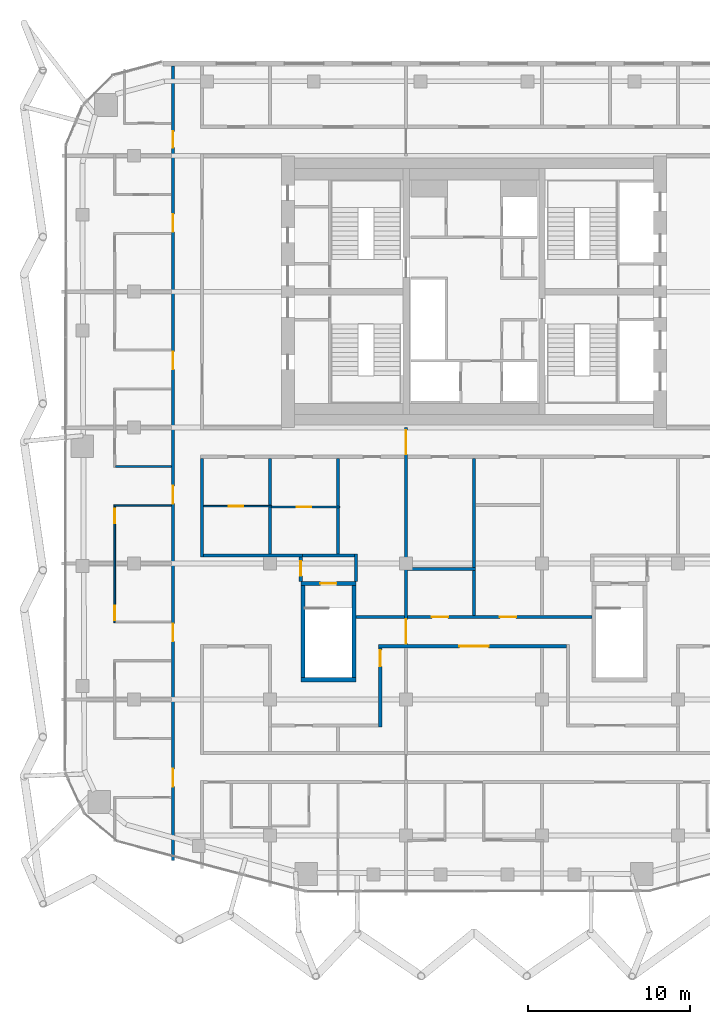
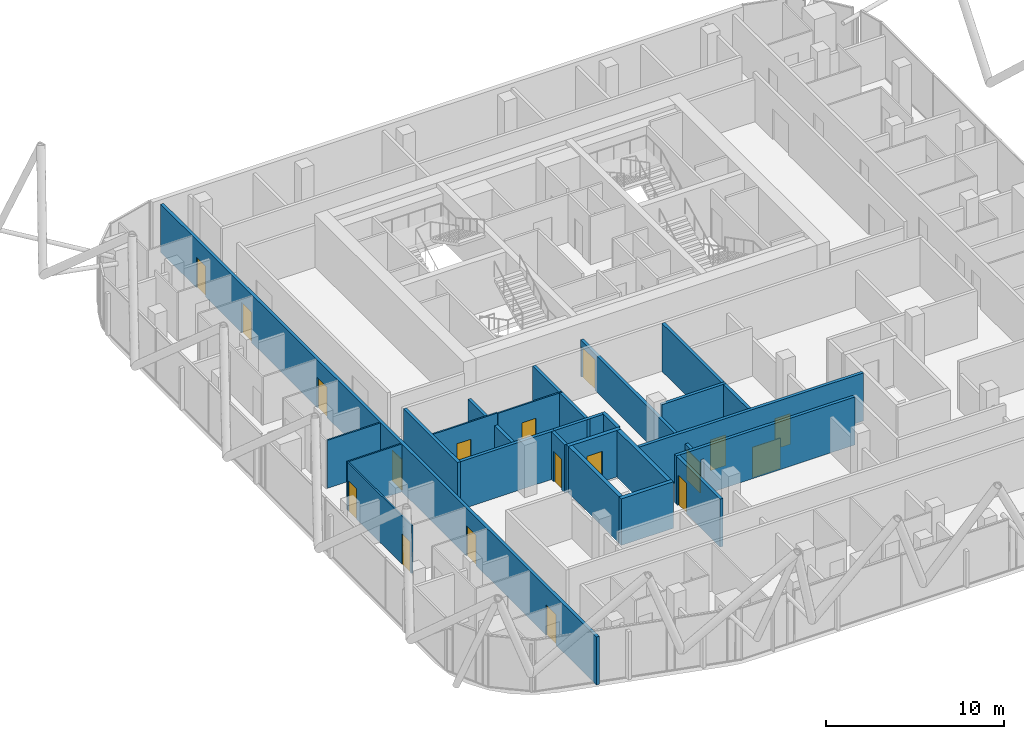
# One storey, part 26 of 33: 23 walls, 18 doors, 18 openings.
"""IFC4 building model written with IfcOpenShell, lengths in metres."""

import ifcopenshell
import ifcopenshell.guid

model = None  # the IFC model being written
_history = None  # IfcOwnerHistory: only IFC2X3 demands one
_inside = {}  # id of a spatial element -> (the spatial element, [elements in it])
_under = {}  # id of a project, library or spatial element -> (it, [spatial elements below it])
_declared = {}  # id of a project -> (the project, [libraries it declares])
_typed = {}  # id of a type object -> (the type object, [elements of that type])
_made_of = {}  # id of a material, layer set ... -> (it, [elements and type objects made of it])


def new_model(schema):
    """Start an empty IFC model of exactly this schema.

    Asked for "IFC4X3", IfcOpenShell would pick the latest addendum, in which some entities
    have other attributes; the version numbers below select the first issue.
    IFC2X3 requires an IfcOwnerHistory on every rooted entity: one is made here for all.
    """
    global model, _history
    if schema == "IFC4X3":
        model = ifcopenshell.file(schema_version=(4, 3, 0, 0))
    else:
        model = ifcopenshell.file(schema=schema)
    _inside.clear()
    _under.clear()
    _declared.clear()
    _typed.clear()
    _made_of.clear()
    _history = None
    if model.schema == "IFC2X3":
        org = make("IfcOrganization", Name="unknown")
        user = make(
            "IfcPersonAndOrganization",
            ThePerson=make("IfcPerson", FamilyName="unknown"),
            TheOrganization=org,
        )
        app = make(
            "IfcApplication",
            ApplicationDeveloper=org,
            Version="unknown",
            ApplicationFullName="unknown",
            ApplicationIdentifier="unknown",
        )
        _history = make(
            "IfcOwnerHistory",
            OwningUser=user,
            OwningApplication=app,
            ChangeAction="ADDED",
            CreationDate=0,
        )
    return model


def make(cls, **values):
    """One entity of the class cls with the attributes given. An attribute that is None is left unset."""
    return model.create_entity(
        cls, **{name: value for name, value in values.items() if value is not None}
    )


def rooted(cls, **values):
    """An entity with a GlobalId (a new one), such as an element, a storey or a relation."""
    return make(cls, GlobalId=ifcopenshell.guid.new(), OwnerHistory=_history, **values)


def si_unit(unit_type, name, prefix=None):
    """IfcSIUnit, for example si_unit("LENGTHUNIT", "METRE", prefix="MILLI")."""
    return make("IfcSIUnit", UnitType=unit_type, Prefix=prefix, Name=name)


def assignment(units):
    """IfcUnitAssignment: the units of a project."""
    return None if units is None else make("IfcUnitAssignment", Units=units)


def point(xyz):
    """IfcCartesianPoint."""
    return None if xyz is None else make("IfcCartesianPoint", Coordinates=xyz)


def direction(xyz):
    """IfcDirection."""
    return None if xyz is None else make("IfcDirection", DirectionRatios=xyz)


def frame(location, z_axis=None, x_axis=None):
    """IfcAxis2Placement3D, a coordinate frame: its origin and axes. An axis left out is left unset."""
    return make(
        "IfcAxis2Placement3D",
        Location=point(location),
        Axis=direction(z_axis),
        RefDirection=direction(x_axis),
    )


def frame_2d(location, x_axis=None):
    """IfcAxis2Placement2D, a coordinate frame in the plane: its origin and x axis."""
    return make(
        "IfcAxis2Placement2D", Location=point(location), RefDirection=direction(x_axis)
    )


def origin():
    """The frame at (0, 0, 0) with its axes left unset."""
    return frame((0.0, 0.0, 0.0))


def place(relative_to, where):
    """IfcLocalPlacement: puts the frame where relative to a parent placement (None: the world)."""
    return make(
        "IfcLocalPlacement", PlacementRelTo=relative_to, RelativePlacement=where
    )


def context(
    kind, dimensions, precision=None, world=None, true_north=None, identifier=None
):
    """IfcGeometricRepresentationContext, for example the 3D "Model" context."""
    return make(
        "IfcGeometricRepresentationContext",
        ContextIdentifier=identifier,
        ContextType=kind,
        CoordinateSpaceDimension=dimensions,
        Precision=precision,
        WorldCoordinateSystem=world,
        TrueNorth=true_north,
    )


def subcontext(parent, identifier, kind, view, scale=None):
    """IfcGeometricRepresentationSubContext, for example "Body" below "Model"."""
    return make(
        "IfcGeometricRepresentationSubContext",
        ContextIdentifier=identifier,
        ContextType=kind,
        ParentContext=parent,
        TargetScale=scale,
        TargetView=view,
    )


def project(units=None, contexts=None):
    """IfcProject with its units and contexts."""
    return rooted(
        "IfcProject",
        Name="project",
        RepresentationContexts=contexts,
        UnitsInContext=assignment(units),
    )


def spatial(cls, under=None, at=None, **own):
    """A site, building, storey or space (cls), placed at a placement, below another one or the project."""
    s = rooted(cls, ObjectPlacement=at, **own)
    if under is not None:
        _under.setdefault(under.id(), (under, []))[1].append(s)
    return s


def profile(cls, at=None, kind="AREA", **sizes):
    """A parametric profile (cls). Its sizes go by their IFC names, for example OverallWidth=200.0."""
    return make(cls, ProfileType=kind, Position=at, **sizes)


def rectangle(**sizes):
    """IfcRectangleProfileDef."""
    return profile("IfcRectangleProfileDef", **sizes)


def extrude(swept, where, along, depth):
    """IfcExtrudedAreaSolid: the profile swept, set in the frame where, extruded along a direction by depth."""
    return make(
        "IfcExtrudedAreaSolid",
        SweptArea=swept,
        Position=where,
        ExtrudedDirection=direction(along),
        Depth=depth,
    )


def shape(context_of_items, identifier, shape_type, items):
    """IfcShapeRepresentation: the items that make up one representation, for example the "Body"."""
    return make(
        "IfcShapeRepresentation",
        ContextOfItems=context_of_items,
        RepresentationIdentifier=identifier,
        RepresentationType=shape_type,
        Items=items,
    )


def material(Name=None, Category=None):
    """IfcMaterial."""
    return make("IfcMaterial", Name=Name, Category=Category)


def layer(
    of_material, thickness, ventilated=None, Name=None, Category=None, Priority=None
):
    """IfcMaterialLayer: one layer of a wall or slab, of a material (None: an air gap)."""
    return make(
        "IfcMaterialLayer",
        Material=of_material,
        LayerThickness=thickness,
        IsVentilated=ventilated,
        Name=Name,
        Category=Category,
        Priority=Priority,
    )


def layer_set(layers, Name=None):
    """IfcMaterialLayerSet."""
    return make("IfcMaterialLayerSet", MaterialLayers=layers, LayerSetName=Name)


def made_of(thing, what):
    """Note that an element or type object is made of a material, layer set ...; save() writes the relation."""
    if what is not None:
        _made_of.setdefault(what.id(), (what, []))[1].append(thing)
    return thing


def type_object(cls, material=None, **own):
    """A type object (cls), such as IfcWallType, which elements share."""
    return made_of(rooted(cls, **own), material)


def element(
    cls,
    number,
    at=None,
    inside=None,
    cuts=None,
    type_object=None,
    material=None,
    context=None,
    identifier="Body",
    shape_type=None,
    held_by="IfcProductDefinitionShape",
    body=None,
    shapes=None,
    **own,
):
    """One element of the class cls, such as IfcWall. Its Tag is "e" and its number.

    at: its placement. inside: the storey or other place that contains it. cuts: it is an
    opening in that element (IfcRelVoidsElement). A single representation is given by context,
    identifier, shape_type and body (its items); several are given by shapes. held_by: the class
    of the entity that holds the representations. save() writes the other relations.
    """
    e = rooted(cls, Tag="e%d" % number, ObjectPlacement=at, **own)
    if body is not None:
        shapes = [shape(context, identifier, shape_type, body)]
    if shapes is not None:
        e.Representation = make(held_by, Representations=shapes)
    if inside is not None:
        _inside.setdefault(inside.id(), (inside, []))[1].append(e)
    if cuts is not None:
        rooted(
            "IfcRelVoidsElement", RelatingBuildingElement=cuts, RelatedOpeningElement=e
        )
    if type_object is not None:
        _typed.setdefault(type_object.id(), (type_object, []))[1].append(e)
    return made_of(e, material)


def fill(opening, filler):
    """IfcRelFillsElement: the door or window that sits in an opening."""
    return rooted(
        "IfcRelFillsElement",
        RelatingOpeningElement=opening,
        RelatedBuildingElement=filler,
    )


def aggregate(whole, parts):
    """IfcRelAggregates: a whole, such as a stair, and the parts it consists of."""
    return rooted("IfcRelAggregates", RelatingObject=whole, RelatedObjects=parts)


def save(model, path):
    """Write the relations noted so far, then the file.

    IfcRelAggregates (storeys below a building ...), IfcRelContainedInSpatialStructure (elements
    in a storey), IfcRelDefinesByType, IfcRelAssociatesMaterial and IfcRelDeclares: one each for
    every whole, place, type object, material and project.
    """
    for whole, parts in _under.values():
        aggregate(whole, parts)
    for where, things in _inside.values():
        rooted(
            "IfcRelContainedInSpatialStructure",
            RelatedElements=things,
            RelatingStructure=where,
        )
    for kind, things in _typed.values():
        rooted("IfcRelDefinesByType", RelatedObjects=things, RelatingType=kind)
    for what, things in _made_of.values():
        rooted("IfcRelAssociatesMaterial", RelatedObjects=things, RelatingMaterial=what)
    for by, libraries in _declared.values():
        rooted("IfcRelDeclares", RelatingContext=by, RelatedDefinitions=libraries)
    model.write(path)


model = new_model("IFC4")

# Units and contexts
model_context = context("Model", 3, precision=1e-05, world=origin(), true_north=direction((0.0, 1.0)))
body_context = subcontext(model_context, "Body", "Model", "MODEL_VIEW")
ifc_project = project(units=[si_unit("LENGTHUNIT", "METRE"), si_unit("AREAUNIT", "SQUARE_METRE"), si_unit("VOLUMEUNIT", "CUBIC_METRE"), si_unit("PLANEANGLEUNIT", "RADIAN"), si_unit("MASSUNIT", "GRAM", prefix="KILO")], contexts=[model_context])

# Site, building, storey
site_placement = place(None, origin())
site = spatial("IfcSite", under=ifc_project, at=site_placement, CompositionType="ELEMENT")
building_placement = place(site_placement, origin())
building = spatial("IfcBuilding", under=site, at=building_placement, Name="Marenta Gate Hotel Tower", CompositionType="ELEMENT")
storey_placement = place(building_placement, frame((0.0, 0.0, 248.89990234375)))
storey = spatial("IfcBuildingStorey", under=building, at=storey_placement, Name="L59", CompositionType="ELEMENT", Elevation=248.89990234375)

# Wall, openings, doors
ifc_material_1 = material(Name="Concrete blockwork", Category="masonry")
ifc_layer_1 = layer(ifc_material_1, 0.199951171875)
ifc_layer_set_1 = layer_set([ifc_layer_1], Name="Concrete blockwork")
wall_type_1 = type_object("IfcWallType", Name="Compartment wall 200 REI 180", PredefinedType="PARTITIONING", material=ifc_layer_set_1)
wall_1_placement = place(storey_placement, frame((-4.199951171875, -13.60009765625, 0.0), z_axis=(0.0, 0.0, 1.0), x_axis=(0.0, 1.0, 0.0)))
wall_1 = element("IfcWall", 1, at=wall_1_placement, inside=storey, type_object=wall_type_1, Name="L59-PTN-W071", PredefinedType="PARTITIONING", context=body_context, shape_type="SweptSolid", body=[
    extrude(rectangle(XDim=13.60009765625, YDim=0.199951171875, at=frame_2d((6.800048828125, 0.0))), origin(), (0.0, 0.0, 1.0), 2.486083984375),
])
opening_1_placement = place(wall_1_placement, frame((11.949951171875, 0.0, 0.0)))
opening_1 = element("IfcOpeningElement", 2, at=opening_1_placement, cuts=wall_1, Name="Opening G21-FD2", PredefinedType="OPENING", context=body_context, shape_type="SweptSolid", body=[
    extrude(rectangle(XDim=1.5, YDim=2.10009765625, at=frame_2d((0.75, 1.050048828125))), frame((0.0, 0.10009765625, 0.0), z_axis=(0.0, -1.0, 0.0), x_axis=(1.0, 0.0, 0.0)), (0.0, 0.0, 1.0), 0.199951171875),
])
opening_2_placement = place(wall_1_placement, frame((0.25, 0.0, 0.0)))
opening_2 = element("IfcOpeningElement", 3, at=opening_2_placement, cuts=wall_1, Name="Opening G21-FD3", PredefinedType="OPENING", context=body_context, shape_type="SweptSolid", body=[
    extrude(rectangle(XDim=1.5, YDim=2.10009765625, at=frame_2d((0.75, 1.050048828125))), frame((0.0, 0.10009765625, 0.0), z_axis=(0.0, -1.0, 0.0), x_axis=(1.0, 0.0, 0.0)), (0.0, 0.0, 1.0), 0.199951171875),
])
ifc_material_2 = material(Name="Hollow steel door set", Category="steel")
door_type_1 = type_object("IfcDoorType", Name="Compartment fire door 1500x2100 EI 60", OperationType="DOUBLE_DOOR_DOUBLE_SWING", PredefinedType="DOOR", material=ifc_material_2)
door_1_placement = place(opening_1_placement, origin())
door_1 = element("IfcDoor", 4, at=door_1_placement, inside=storey, type_object=door_type_1, Name="L59-PD-FD02", OperationType="DOUBLE_DOOR_DOUBLE_SWING", OverallHeight=2.10009765625, OverallWidth=1.5, PredefinedType="DOOR", context=body_context, shape_type="SweptSolid", body=[
    extrude(rectangle(XDim=1.5, YDim=2.10009765625, at=frame_2d((0.75, 1.050048828125))), frame((0.0, 0.02490234375, 0.0), z_axis=(0.0, -1.0, 0.0), x_axis=(1.0, 0.0, 0.0)), (0.0, 0.0, 1.0), 0.050048828125),
])
fill(opening_1, door_1)
door_2_placement = place(opening_2_placement, origin())
door_2 = element("IfcDoor", 5, at=door_2_placement, inside=storey, type_object=door_type_1, Name="L59-PD-FD03", OperationType="DOUBLE_DOOR_DOUBLE_SWING", OverallHeight=2.10009765625, OverallWidth=1.5, PredefinedType="DOOR", context=body_context, shape_type="SweptSolid", body=[
    extrude(rectangle(XDim=1.5, YDim=2.10009765625, at=frame_2d((0.75, 1.050048828125))), frame((0.0, 0.02490234375, 0.0), z_axis=(0.0, -1.0, 0.0), x_axis=(1.0, 0.0, 0.0)), (0.0, 0.0, 1.0), 0.050048828125),
])
fill(opening_2, door_2)

# Wall
ifc_material_3 = material(Name="Concrete C40", Category="concrete")
ifc_layer_2 = layer(ifc_material_3, 0.25)
ifc_layer_set_2 = layer_set([ifc_layer_2], Name="Concrete C40")
wall_type_2 = type_object("IfcWallType", Name="Remote stair enclosure wall 250 REI 180", PredefinedType="SHEAR", material=ifc_layer_set_2)
wall_2_placement = place(storey_placement, frame((-10.699951171875, -15.574951171875, 0.10009765625), z_axis=(0.0, 0.0, 1.0), x_axis=(1.0, 0.0, 0.0)))
element("IfcWall", 6, at=wall_2_placement, inside=storey, type_object=wall_type_2, Name="L59-RS-Z3-1-W1", PredefinedType="SHEAR", context=body_context, shape_type="SweptSolid", body=[
    extrude(rectangle(XDim=3.39990234375, YDim=0.25, at=frame_2d((1.699951171875, 0.0))), origin(), (0.0, 0.0, 1.0), 3.199951171875),
])

# Wall, opening, door
wall_3_placement = place(storey_placement, frame((-10.699951171875, -9.625, 0.10009765625), z_axis=(0.0, 0.0, 1.0), x_axis=(1.0, 0.0, 0.0)))
wall_3 = element("IfcWall", 7, at=wall_3_placement, inside=storey, type_object=wall_type_2, Name="L59-RS-Z3-1-W2", PredefinedType="SHEAR", context=body_context, shape_type="SweptSolid", body=[
    extrude(rectangle(XDim=3.39990234375, YDim=0.25, at=frame_2d((1.699951171875, 0.0))), origin(), (0.0, 0.0, 1.0), 3.199951171875),
])
opening_3_placement = place(wall_3_placement, frame((1.199951171875, 0.0, 0.0)))
opening_3 = element("IfcOpeningElement", 8, at=opening_3_placement, cuts=wall_3, Name="Opening VD", PredefinedType="OPENING", context=body_context, shape_type="SweptSolid", body=[
    extrude(rectangle(XDim=1.0, YDim=2.10009765625, at=frame_2d((0.5, 1.050048828125))), frame((0.0, 0.125, 0.0), z_axis=(0.0, -1.0, 0.0), x_axis=(1.0, 0.0, 0.0)), (0.0, 0.0, 1.0), 0.25),
])
ifc_material_4 = material(Name="Steel", Category="steel")
door_type_2 = type_object("IfcDoorType", Name="Stair vestibule door 1000x2100 FD60", OperationType="SINGLE_SWING_LEFT", PredefinedType="DOOR", material=ifc_material_4)
door_3_placement = place(opening_3_placement, origin())
door_3 = element("IfcDoor", 9, at=door_3_placement, inside=storey, type_object=door_type_2, Name="VD", OperationType="SINGLE_SWING_LEFT", OverallHeight=2.10009765625, OverallWidth=1.0, PredefinedType="DOOR", context=body_context, shape_type="SweptSolid", body=[
    extrude(rectangle(XDim=1.0, YDim=2.10009765625, at=frame_2d((0.5, 1.050048828125))), frame((0.0, 0.02490234375, 0.0), z_axis=(0.0, -1.0, 0.0), x_axis=(1.0, 0.0, 0.0)), (0.0, 0.0, 1.0), 0.050048828125),
])
fill(opening_3, door_3)

# Walls
for number, where, z_axis, x_axis, name in (
    (10, (-10.574951171875, -15.449951171875, 0.10009765625), (0.0, 0.0, 1.0), (0.0, 1.0, 0.0), "L59-RS-Z3-1-W3"),
    (11, (-7.425048828125, -15.449951171875, 0.10009765625), (0.0, 0.0, 1.0), (0.0, 1.0, 0.0), "L59-RS-Z3-1-W4"),
):
    element("IfcWall", number, at=place(storey_placement, frame(where, z_axis=z_axis, x_axis=x_axis)), inside=storey, type_object=wall_type_2, Name=name, PredefinedType="SHEAR", context=body_context, shape_type="SweptSolid", body=[
        extrude(rectangle(XDim=5.699951171875, YDim=0.25, at=frame_2d((2.85009765625, 0.0))), origin(), (0.0, 0.0, 1.0), 3.199951171875),
    ])
ifc_material_5 = material(Name="Concrete blockwork", Category="masonry")
ifc_layer_3 = layer(ifc_material_5, 0.199951171875)
ifc_layer_set_3 = layer_set([ifc_layer_3], Name="Concrete blockwork")
wall_type_3 = type_object("IfcWallType", Name="Room corridor wall 200 EI 120", PredefinedType="PARTITIONING", material=ifc_layer_set_3)
wall_4_placement = place(storey_placement, frame((-16.699951171875, -7.89990234375, 0.0), z_axis=(0.0, 0.0, 1.0), x_axis=(1.0, 0.0, 0.0)))
element("IfcWall", 12, at=wall_4_placement, inside=storey, type_object=wall_type_3, Name="L59-PTN-W043", PredefinedType="PARTITIONING", context=body_context, shape_type="SweptSolid", body=[
    extrude(rectangle(XDim=6.099853515625, YDim=0.199951171875, at=frame_2d((3.0498046875, 0.0))), origin(), (0.0, 0.0, 1.0), 3.300048828125),
])

# Wall, opening, door
ifc_material_6 = material(Name="Gypsum board on steel stud", Category="steel")
ifc_layer_4 = layer(ifc_material_6, 0.199951171875)
ifc_layer_set_4 = layer_set([ifc_layer_4], Name="Gypsum board on steel stud")
wall_type_4 = type_object("IfcWallType", Name="Room corridor wall 200 EI 60", PredefinedType="PARTITIONING", material=ifc_layer_set_4)
wall_5_placement = place(storey_placement, frame((-5.89990234375, -13.5, 0.0), z_axis=(0.0, 0.0, 1.0), x_axis=(1.0, 0.0, 0.0)))
wall_5 = element("IfcWall", 13, at=wall_5_placement, inside=storey, type_object=wall_type_4, Name="L59-PTN-W029", PredefinedType="PARTITIONING", context=body_context, shape_type="SweptSolid", body=[
    extrude(rectangle(XDim=11.599853515625, YDim=0.199951171875, at=frame_2d((5.7998046875, 0.0))), origin(), (0.0, 0.0, 1.0), 3.300048828125),
])
opening_4_placement = place(wall_5_placement, frame((5.0, 0.0, 0.0)))
opening_4 = element("IfcOpeningElement", 14, at=opening_4_placement, cuts=wall_5, Name="Opening G21-11", PredefinedType="OPENING", context=body_context, shape_type="SweptSolid", body=[
    extrude(rectangle(XDim=1.800048828125, YDim=2.10009765625, at=frame_2d((0.89990234375, 1.050048828125))), frame((0.0, 0.10009765625, 0.0), z_axis=(0.0, -1.0, 0.0), x_axis=(1.0, 0.0, 0.0)), (0.0, 0.0, 1.0), 0.199951171875),
])
ifc_material_7 = material(Name="Timber door leaf", Category="wood")
door_type_3 = type_object("IfcDoorType", Name="Room amenity door 1800x2100 EI 30", OperationType="DOUBLE_DOOR_SINGLE_SWING", PredefinedType="DOOR", material=ifc_material_7)
door_4_placement = place(opening_4_placement, origin())
door_4 = element("IfcDoor", 15, at=door_4_placement, inside=storey, type_object=door_type_3, Name="L59-PD-D011", OperationType="DOUBLE_DOOR_SINGLE_SWING", OverallHeight=2.10009765625, OverallWidth=1.800048828125, PredefinedType="DOOR", context=body_context, shape_type="SweptSolid", body=[
    extrude(rectangle(XDim=1.800048828125, YDim=2.10009765625, at=frame_2d((0.89990234375, 1.050048828125))), frame((0.0, 0.02490234375, 0.0), z_axis=(0.0, -1.0, 0.0), x_axis=(1.0, 0.0, 0.0)), (0.0, 0.0, 1.0), 0.050048828125),
])
fill(opening_4, door_4)

# Wall, openings, doors
wall_6_placement = place(storey_placement, frame((-7.300048828125, -11.699951171875, 0.0), z_axis=(0.0, 0.0, 1.0), x_axis=(1.0, 0.0, 0.0)))
wall_6 = element("IfcWall", 16, at=wall_6_placement, inside=storey, type_object=wall_type_4, Name="L59-PTN-W037", PredefinedType="PARTITIONING", context=body_context, shape_type="SweptSolid", body=[
    extrude(rectangle(XDim=14.60009765625, YDim=0.199951171875, at=frame_2d((7.300048828125, 0.0))), origin(), (0.0, 0.0, 1.0), 3.300048828125),
])
opening_5_placement = place(wall_6_placement, frame((4.699951171875, 0.0, 0.0)))
opening_5 = element("IfcOpeningElement", 17, at=opening_5_placement, cuts=wall_6, Name="Opening G21-63", PredefinedType="OPENING", context=body_context, shape_type="SweptSolid", body=[
    extrude(rectangle(XDim=1.0, YDim=2.10009765625, at=frame_2d((0.5, 1.050048828125))), frame((0.0, 0.10009765625, 0.0), z_axis=(0.0, -1.0, 0.0), x_axis=(1.0, 0.0, 0.0)), (0.0, 0.0, 1.0), 0.199951171875),
])
opening_6_placement = place(wall_6_placement, frame((8.89990234375, 0.0, 0.0)))
opening_6 = element("IfcOpeningElement", 18, at=opening_6_placement, cuts=wall_6, Name="Opening G21-67", PredefinedType="OPENING", context=body_context, shape_type="SweptSolid", body=[
    extrude(rectangle(XDim=1.0, YDim=2.10009765625, at=frame_2d((0.5, 1.050048828125))), frame((0.0, 0.10009765625, 0.0), z_axis=(0.0, -1.0, 0.0), x_axis=(1.0, 0.0, 0.0)), (0.0, 0.0, 1.0), 0.199951171875),
])
ifc_material_8 = material(Name="Timber door leaf", Category="wood")
door_type_4 = type_object("IfcDoorType", Name="Room amenity door 1000x2100 EI 30", OperationType="NOTDEFINED", PredefinedType="DOOR", material=ifc_material_8)
door_5_placement = place(opening_5_placement, origin())
door_5 = element("IfcDoor", 19, at=door_5_placement, inside=storey, type_object=door_type_4, Name="L59-PD-D063", OperationType="SINGLE_SWING_LEFT", OverallHeight=2.10009765625, OverallWidth=1.0, PredefinedType="DOOR", context=body_context, shape_type="SweptSolid", body=[
    extrude(rectangle(XDim=1.0, YDim=2.10009765625, at=frame_2d((0.5, 1.050048828125))), frame((0.0, 0.02490234375, 0.0), z_axis=(0.0, -1.0, 0.0), x_axis=(1.0, 0.0, 0.0)), (0.0, 0.0, 1.0), 0.050048828125),
])
fill(opening_5, door_5)
door_6_placement = place(opening_6_placement, origin())
door_6 = element("IfcDoor", 20, at=door_6_placement, inside=storey, type_object=door_type_4, Name="L59-PD-D067", OperationType="SINGLE_SWING_LEFT", OverallHeight=2.10009765625, OverallWidth=1.0, PredefinedType="DOOR", context=body_context, shape_type="SweptSolid", body=[
    extrude(rectangle(XDim=1.0, YDim=2.10009765625, at=frame_2d((0.5, 1.050048828125))), frame((0.0, 0.02490234375, 0.0), z_axis=(0.0, -1.0, 0.0), x_axis=(1.0, 0.0, 0.0)), (0.0, 0.0, 1.0), 0.050048828125),
])
fill(opening_6, door_6)

# Wall, opening, door
wall_7_placement = place(storey_placement, frame((-5.800048828125, -18.5, 0.0), z_axis=(0.0, 0.0, 1.0), x_axis=(0.0, 1.0, 0.0)))
wall_7 = element("IfcWall", 21, at=wall_7_placement, inside=storey, type_object=wall_type_4, Name="L59-PTN-W075", PredefinedType="PARTITIONING", context=body_context, shape_type="SweptSolid", body=[
    extrude(rectangle(XDim=4.89990234375, YDim=0.199951171875, at=frame_2d((2.449951171875, 0.0))), origin(), (0.0, 0.0, 1.0), 3.300048828125),
])
opening_7_placement = place(wall_7_placement, frame((3.75, 0.0, 0.0)))
opening_7 = element("IfcOpeningElement", 22, at=opening_7_placement, cuts=wall_7, Name="Opening G21-10", PredefinedType="OPENING", context=body_context, shape_type="SweptSolid", body=[
    extrude(rectangle(XDim=1.0, YDim=2.10009765625, at=frame_2d((0.5, 1.050048828125))), frame((0.0, 0.10009765625, 0.0), z_axis=(0.0, -1.0, 0.0), x_axis=(1.0, 0.0, 0.0)), (0.0, 0.0, 1.0), 0.199951171875),
])
door_7_placement = place(opening_7_placement, origin())
door_7 = element("IfcDoor", 23, at=door_7_placement, inside=storey, type_object=door_type_4, Name="L59-PD-D010", OperationType="SINGLE_SWING_RIGHT", OverallHeight=2.10009765625, OverallWidth=1.0, PredefinedType="DOOR", context=body_context, shape_type="SweptSolid", body=[
    extrude(rectangle(XDim=1.0, YDim=2.10009765625, at=frame_2d((0.5, 1.050048828125))), frame((0.0, 0.02490234375, 0.0), z_axis=(0.0, -1.0, 0.0), x_axis=(1.0, 0.0, 0.0)), (0.0, 0.0, 1.0), 0.050048828125),
])
fill(opening_7, door_7)

# Wall
wall_8_placement = place(storey_placement, frame((-16.800048828125, -8.0, 0.0), z_axis=(0.0, 0.0, 1.0), x_axis=(0.0, 1.0, 0.0)))
element("IfcWall", 24, at=wall_8_placement, inside=storey, type_object=wall_type_4, Name="L59-PTN-W097", PredefinedType="PARTITIONING", context=body_context, shape_type="SweptSolid", body=[
    extrude(rectangle(XDim=6.10009765625, YDim=0.199951171875, at=frame_2d((3.050048828125, 0.0))), origin(), (0.0, 0.0, 1.0), 3.300048828125),
])

# Wall, openings, doors
wall_9_placement = place(storey_placement, frame((-18.60009765625, -26.7509765625, 0.0), z_axis=(0.0, 0.0, 1.0), x_axis=(0.0, 1.0, 0.0)))
wall_9 = element("IfcWall", 25, at=wall_9_placement, inside=storey, type_object=wall_type_4, Name="L59-PTN-W101", PredefinedType="PARTITIONING", context=body_context, shape_type="SweptSolid", body=[
    extrude(rectangle(XDim=49.091064453125, YDim=0.199951171875, at=frame_2d((24.54541015625, 0.0))), origin(), (0.0, 0.0, 1.0), 3.300048828125),
])
opening_8_placement = place(wall_9_placement, frame((4.575927734375, 0.0, 0.0)))
opening_8 = element("IfcOpeningElement", 26, at=opening_8_placement, cuts=wall_9, Name="Opening G21-44", PredefinedType="OPENING", context=body_context, shape_type="SweptSolid", body=[
    extrude(rectangle(XDim=1.10009765625, YDim=2.10009765625, at=frame_2d((0.550048828125, 1.050048828125))), frame((0.0, 0.10009765625, 0.0), z_axis=(0.0, -1.0, 0.0), x_axis=(1.0, 0.0, 0.0)), (0.0, 0.0, 1.0), 0.199951171875),
])
opening_9_placement = place(wall_9_placement, frame((13.551025390625, 0.0, 0.0)))
opening_9 = element("IfcOpeningElement", 27, at=opening_9_placement, cuts=wall_9, Name="Opening G21-47", PredefinedType="OPENING", context=body_context, shape_type="SweptSolid", body=[
    extrude(rectangle(XDim=1.10009765625, YDim=2.10009765625, at=frame_2d((0.550048828125, 1.050048828125))), frame((0.0, 0.10009765625, 0.0), z_axis=(0.0, -1.0, 0.0), x_axis=(1.0, 0.0, 0.0)), (0.0, 0.0, 1.0), 0.199951171875),
])
opening_10_placement = place(wall_9_placement, frame((22.051025390625, 0.0, 0.0)))
opening_10 = element("IfcOpeningElement", 28, at=opening_10_placement, cuts=wall_9, Name="Opening G21-50", PredefinedType="OPENING", context=body_context, shape_type="SweptSolid", body=[
    extrude(rectangle(XDim=1.10009765625, YDim=2.10009765625, at=frame_2d((0.550048828125, 1.050048828125))), frame((0.0, 0.10009765625, 0.0), z_axis=(0.0, -1.0, 0.0), x_axis=(1.0, 0.0, 0.0)), (0.0, 0.0, 1.0), 0.199951171875),
])
opening_11_placement = place(wall_9_placement, frame((30.35107421875, 0.0, 0.0)))
opening_11 = element("IfcOpeningElement", 29, at=opening_11_placement, cuts=wall_9, Name="Opening G21-53", PredefinedType="OPENING", context=body_context, shape_type="SweptSolid", body=[
    extrude(rectangle(XDim=1.10009765625, YDim=2.10009765625, at=frame_2d((0.550048828125, 1.050048828125))), frame((0.0, 0.10009765625, 0.0), z_axis=(0.0, -1.0, 0.0), x_axis=(1.0, 0.0, 0.0)), (0.0, 0.0, 1.0), 0.199951171875),
])
opening_12_placement = place(wall_9_placement, frame((38.85107421875, 0.0, 0.0)))
opening_12 = element("IfcOpeningElement", 30, at=opening_12_placement, cuts=wall_9, Name="Opening G21-56", PredefinedType="OPENING", context=body_context, shape_type="SweptSolid", body=[
    extrude(rectangle(XDim=1.10009765625, YDim=2.10009765625, at=frame_2d((0.550048828125, 1.050048828125))), frame((0.0, 0.10009765625, 0.0), z_axis=(0.0, -1.0, 0.0), x_axis=(1.0, 0.0, 0.0)), (0.0, 0.0, 1.0), 0.199951171875),
])
opening_13_placement = place(wall_9_placement, frame((44.051025390625, 0.0, 0.0)))
opening_13 = element("IfcOpeningElement", 31, at=opening_13_placement, cuts=wall_9, Name="Opening G21-59", PredefinedType="OPENING", context=body_context, shape_type="SweptSolid", body=[
    extrude(rectangle(XDim=1.0, YDim=2.10009765625, at=frame_2d((0.5, 1.050048828125))), frame((0.0, 0.10009765625, 0.0), z_axis=(0.0, -1.0, 0.0), x_axis=(1.0, 0.0, 0.0)), (0.0, 0.0, 1.0), 0.199951171875),
])
ifc_material_9 = material(Name="Timber door leaf", Category="wood")
door_type_5 = type_object("IfcDoorType", Name="Guest room door 1000x2100 EI 30", OperationType="NOTDEFINED", PredefinedType="DOOR", material=ifc_material_9)
door_8_placement = place(opening_13_placement, origin())
door_8 = element("IfcDoor", 32, at=door_8_placement, inside=storey, type_object=door_type_5, Name="L59-PD-D059", OperationType="SINGLE_SWING_RIGHT", OverallHeight=2.10009765625, OverallWidth=1.0, PredefinedType="DOOR", context=body_context, shape_type="SweptSolid", body=[
    extrude(rectangle(XDim=1.0, YDim=2.10009765625, at=frame_2d((0.5, 1.050048828125))), frame((0.0, 0.02490234375, 0.0), z_axis=(0.0, -1.0, 0.0), x_axis=(1.0, 0.0, 0.0)), (0.0, 0.0, 1.0), 0.050048828125),
])
fill(opening_13, door_8)
ifc_material_10 = material(Name="Timber door leaf", Category="wood")
door_type_6 = type_object("IfcDoorType", Name="Guest room door 1100x2100 EI 30", OperationType="NOTDEFINED", PredefinedType="DOOR", material=ifc_material_10)
door_9_placement = place(opening_8_placement, origin())
door_9 = element("IfcDoor", 33, at=door_9_placement, inside=storey, type_object=door_type_6, Name="L59-PD-D044", OperationType="SINGLE_SWING_LEFT", OverallHeight=2.10009765625, OverallWidth=1.10009765625, PredefinedType="DOOR", context=body_context, shape_type="SweptSolid", body=[
    extrude(rectangle(XDim=1.10009765625, YDim=2.10009765625, at=frame_2d((0.550048828125, 1.050048828125))), frame((0.0, 0.02490234375, 0.0), z_axis=(0.0, -1.0, 0.0), x_axis=(1.0, 0.0, 0.0)), (0.0, 0.0, 1.0), 0.050048828125),
])
fill(opening_8, door_9)
door_10_placement = place(opening_9_placement, origin())
door_10 = element("IfcDoor", 34, at=door_10_placement, inside=storey, type_object=door_type_6, Name="L59-PD-D047", OperationType="SINGLE_SWING_RIGHT", OverallHeight=2.10009765625, OverallWidth=1.10009765625, PredefinedType="DOOR", context=body_context, shape_type="SweptSolid", body=[
    extrude(rectangle(XDim=1.10009765625, YDim=2.10009765625, at=frame_2d((0.550048828125, 1.050048828125))), frame((0.0, 0.02490234375, 0.0), z_axis=(0.0, -1.0, 0.0), x_axis=(1.0, 0.0, 0.0)), (0.0, 0.0, 1.0), 0.050048828125),
])
fill(opening_9, door_10)
door_11_placement = place(opening_10_placement, origin())
door_11 = element("IfcDoor", 35, at=door_11_placement, inside=storey, type_object=door_type_6, Name="L59-PD-D050", OperationType="SINGLE_SWING_LEFT", OverallHeight=2.10009765625, OverallWidth=1.10009765625, PredefinedType="DOOR", context=body_context, shape_type="SweptSolid", body=[
    extrude(rectangle(XDim=1.10009765625, YDim=2.10009765625, at=frame_2d((0.550048828125, 1.050048828125))), frame((0.0, 0.02490234375, 0.0), z_axis=(0.0, -1.0, 0.0), x_axis=(1.0, 0.0, 0.0)), (0.0, 0.0, 1.0), 0.050048828125),
])
fill(opening_10, door_11)
door_12_placement = place(opening_11_placement, origin())
door_12 = element("IfcDoor", 36, at=door_12_placement, inside=storey, type_object=door_type_6, Name="L59-PD-D053", OperationType="SINGLE_SWING_RIGHT", OverallHeight=2.10009765625, OverallWidth=1.10009765625, PredefinedType="DOOR", context=body_context, shape_type="SweptSolid", body=[
    extrude(rectangle(XDim=1.10009765625, YDim=2.10009765625, at=frame_2d((0.550048828125, 1.050048828125))), frame((0.0, 0.02490234375, 0.0), z_axis=(0.0, -1.0, 0.0), x_axis=(1.0, 0.0, 0.0)), (0.0, 0.0, 1.0), 0.050048828125),
])
fill(opening_11, door_12)
door_13_placement = place(opening_12_placement, origin())
door_13 = element("IfcDoor", 37, at=door_13_placement, inside=storey, type_object=door_type_6, Name="L59-PD-D056", OperationType="SINGLE_SWING_LEFT", OverallHeight=2.10009765625, OverallWidth=1.10009765625, PredefinedType="DOOR", context=body_context, shape_type="SweptSolid", body=[
    extrude(rectangle(XDim=1.10009765625, YDim=2.10009765625, at=frame_2d((0.550048828125, 1.050048828125))), frame((0.0, 0.02490234375, 0.0), z_axis=(0.0, -1.0, 0.0), x_axis=(1.0, 0.0, 0.0)), (0.0, 0.0, 1.0), 0.050048828125),
])
fill(opening_12, door_13)

# Wall, opening, door
ifc_material_11 = material(Name="Concrete blockwork", Category="masonry")
ifc_layer_5 = layer(ifc_material_11, 0.199951171875)
ifc_layer_set_5 = layer_set([ifc_layer_5], Name="Concrete blockwork")
wall_type_5 = type_object("IfcWallType", Name="Room corridor wall 200 REI 180", PredefinedType="PARTITIONING", material=ifc_layer_set_5)
wall_10_placement = place(storey_placement, frame((-10.699951171875, -9.5, 0.0), z_axis=(0.0, 0.0, 1.0), x_axis=(0.0, 1.0, 0.0)))
wall_10 = element("IfcWall", 38, at=wall_10_placement, inside=storey, type_object=wall_type_5, Name="L59-PTN-W084", PredefinedType="PARTITIONING", context=body_context, shape_type="SweptSolid", body=[
    extrude(rectangle(XDim=1.5, YDim=0.199951171875, at=frame_2d((0.75, 0.0))), origin(), (0.0, 0.0, 1.0), 3.300048828125),
])
opening_14_placement = place(wall_10_placement, frame((0.35009765625, 0.0, 0.0)))
opening_14 = element("IfcOpeningElement", 39, at=opening_14_placement, cuts=wall_10, Name="Opening G21-61", PredefinedType="OPENING", context=body_context, shape_type="SweptSolid", body=[
    extrude(rectangle(XDim=0.89990234375, YDim=2.10009765625, at=frame_2d((0.449951171875, 1.050048828125))), frame((0.0, 0.10009765625, 0.0), z_axis=(0.0, -1.0, 0.0), x_axis=(1.0, 0.0, 0.0)), (0.0, 0.0, 1.0), 0.199951171875),
])
ifc_material_12 = material(Name="Hollow steel door set", Category="steel")
door_type_7 = type_object("IfcDoorType", Name="Stair vestibule door 900x2100 EI 60", OperationType="NOTDEFINED", PredefinedType="DOOR", material=ifc_material_12)
door_14_placement = place(opening_14_placement, origin())
door_14 = element("IfcDoor", 40, at=door_14_placement, inside=storey, type_object=door_type_7, Name="L59-PD-D061", OperationType="SINGLE_SWING_LEFT", OverallHeight=2.10009765625, OverallWidth=0.89990234375, PredefinedType="DOOR", context=body_context, shape_type="SweptSolid", body=[
    extrude(rectangle(XDim=0.89990234375, YDim=2.10009765625, at=frame_2d((0.449951171875, 1.050048828125))), frame((0.0, 0.02490234375, 0.0), z_axis=(0.0, -1.0, 0.0), x_axis=(1.0, 0.0, 0.0)), (0.0, 0.0, 1.0), 0.050048828125),
])
fill(opening_14, door_14)

ifc_material_13 = material(Name="Gypsum board on steel stud", Category="steel")
ifc_layer_6 = layer(ifc_material_13, 0.10009765625)
ifc_layer_set_6 = layer_set([ifc_layer_6], Name="Gypsum board on steel stud")
wall_type_6 = type_object("IfcWallType", Name="Room partition 100", PredefinedType="PARTITIONING", material=ifc_layer_set_6)
wall_11_placement = place(storey_placement, frame((-12.5, -4.89990234375, 0.0), z_axis=(0.0, 0.0, 1.0), x_axis=(1.0, 0.0, 0.0)))
wall_11 = element("IfcWall", 41, at=wall_11_placement, inside=storey, type_object=wall_type_6, Name="L59-PTN-W050", PredefinedType="PARTITIONING", context=body_context, shape_type="SweptSolid", body=[
    extrude(rectangle(XDim=4.199951171875, YDim=0.10009765625, at=frame_2d((2.10009765625, 0.0))), origin(), (0.0, 0.0, 1.0), 3.300048828125),
])
opening_15_placement = place(wall_11_placement, frame((1.550048828125, 0.0, 0.0)))
opening_15 = element("IfcOpeningElement", 42, at=opening_15_placement, cuts=wall_11, Name="Opening G21-04", PredefinedType="OPENING", context=body_context, shape_type="SweptSolid", body=[
    extrude(rectangle(XDim=0.89990234375, YDim=2.10009765625, at=frame_2d((0.449951171875, 1.050048828125))), frame((0.0, 0.050048828125, 0.0), z_axis=(0.0, -1.0, 0.0), x_axis=(1.0, 0.0, 0.0)), (0.0, 0.0, 1.0), 0.10009765625),
])
ifc_material_14 = material(Name="Timber door leaf", Category="wood")
door_type_8 = type_object("IfcDoorType", Name="Room inner door 900x2100", OperationType="NOTDEFINED", PredefinedType="DOOR", material=ifc_material_14)
door_15_placement = place(opening_15_placement, origin())
door_15 = element("IfcDoor", 43, at=door_15_placement, inside=storey, type_object=door_type_8, Name="L59-PD-D004", OperationType="SINGLE_SWING_RIGHT", OverallHeight=2.10009765625, OverallWidth=0.89990234375, PredefinedType="DOOR", context=body_context, shape_type="SweptSolid", body=[
    extrude(rectangle(XDim=0.89990234375, YDim=2.10009765625, at=frame_2d((0.449951171875, 1.050048828125))), frame((0.0, 0.02490234375, 0.0), z_axis=(0.0, -1.0, 0.0), x_axis=(1.0, 0.0, 0.0)), (0.0, 0.0, 1.0), 0.050048828125),
])
fill(opening_15, door_15)

wall_12_placement = place(storey_placement, frame((-16.699951171875, -4.85009765625, 0.0), z_axis=(0.0, 0.0, 1.0), x_axis=(1.0, 0.0, 0.0)))
wall_12 = element("IfcWall", 44, at=wall_12_placement, inside=storey, type_object=wall_type_6, Name="L59-PTN-W051", PredefinedType="PARTITIONING", context=body_context, shape_type="SweptSolid", body=[
    extrude(rectangle(XDim=4.199951171875, YDim=0.10009765625, at=frame_2d((2.10009765625, 0.0))), origin(), (0.0, 0.0, 1.0), 3.300048828125),
])
opening_16_placement = place(wall_12_placement, frame((1.550048828125, 0.0, 0.0)))
opening_16 = element("IfcOpeningElement", 45, at=opening_16_placement, cuts=wall_12, Name="Opening G21-02", PredefinedType="OPENING", context=body_context, shape_type="SweptSolid", body=[
    extrude(rectangle(XDim=0.89990234375, YDim=2.10009765625, at=frame_2d((0.449951171875, 1.050048828125))), frame((0.0, 0.050048828125, 0.0), z_axis=(0.0, -1.0, 0.0), x_axis=(1.0, 0.0, 0.0)), (0.0, 0.0, 1.0), 0.10009765625),
])
door_16_placement = place(opening_16_placement, origin())
door_16 = element("IfcDoor", 46, at=door_16_placement, inside=storey, type_object=door_type_8, Name="L59-PD-D002", OperationType="SINGLE_SWING_RIGHT", OverallHeight=2.10009765625, OverallWidth=0.89990234375, PredefinedType="DOOR", context=body_context, shape_type="SweptSolid", body=[
    extrude(rectangle(XDim=0.89990234375, YDim=2.10009765625, at=frame_2d((0.449951171875, 1.050048828125))), frame((0.0, 0.02490234375, 0.0), z_axis=(0.0, -1.0, 0.0), x_axis=(1.0, 0.0, 0.0)), (0.0, 0.0, 1.0), 0.050048828125),
])
fill(opening_16, door_16)

# Walls
wall_13_placement = place(storey_placement, frame((-22.25, -4.800048828125, 0.0), z_axis=(0.0, 0.0, 1.0), x_axis=(1.0, 0.0, 0.0)))
element("IfcWall", 47, at=wall_13_placement, inside=storey, type_object=wall_type_6, Name="L59-PTN-W052", PredefinedType="PARTITIONING", context=body_context, shape_type="SweptSolid", body=[
    extrude(rectangle(XDim=3.550048828125, YDim=0.10009765625, at=frame_2d((1.77490234375, 0.0))), origin(), (0.0, 0.0, 1.0), 3.300048828125),
])
wall_14_placement = place(storey_placement, frame((-22.14990234375, -2.39990234375, 0.0), z_axis=(0.0, 0.0, 1.0), x_axis=(1.0, 0.0, 0.0)))
element("IfcWall", 48, at=wall_14_placement, inside=storey, type_object=wall_type_6, Name="L59-PTN-W059", PredefinedType="PARTITIONING", context=body_context, shape_type="SweptSolid", body=[
    extrude(rectangle(XDim=3.449951171875, YDim=0.10009765625, at=frame_2d((1.72509765625, 0.0))), origin(), (0.0, 0.0, 1.0), 3.300048828125),
])

# Wall, openings, doors
wall_15_placement = place(storey_placement, frame((-22.199951171875, -12.050048828125, 0.0), z_axis=(0.0, 0.0, 1.0), x_axis=(0.0, 1.0, 0.0)))
wall_15 = element("IfcWall", 49, at=wall_15_placement, inside=storey, type_object=wall_type_6, Name="L59-PTN-W108", PredefinedType="PARTITIONING", context=body_context, shape_type="SweptSolid", body=[
    extrude(rectangle(XDim=7.199951171875, YDim=0.10009765625, at=frame_2d((3.60009765625, 0.0))), origin(), (0.0, 0.0, 1.0), 3.300048828125),
])
opening_17_placement = place(wall_15_placement, frame((0.14990234375, 0.0, 0.0)))
opening_17 = element("IfcOpeningElement", 50, at=opening_17_placement, cuts=wall_15, Name="Opening G21-48", PredefinedType="OPENING", context=body_context, shape_type="SweptSolid", body=[
    extrude(rectangle(XDim=0.89990234375, YDim=2.10009765625, at=frame_2d((0.449951171875, 1.050048828125))), frame((0.0, 0.050048828125, 0.0), z_axis=(0.0, -1.0, 0.0), x_axis=(1.0, 0.0, 0.0)), (0.0, 0.0, 1.0), 0.10009765625),
])
opening_18_placement = place(wall_15_placement, frame((6.14990234375, 0.0, 0.0)))
opening_18 = element("IfcOpeningElement", 51, at=opening_18_placement, cuts=wall_15, Name="Opening G21-51", PredefinedType="OPENING", context=body_context, shape_type="SweptSolid", body=[
    extrude(rectangle(XDim=0.89990234375, YDim=2.10009765625, at=frame_2d((0.449951171875, 1.050048828125))), frame((0.0, 0.050048828125, 0.0), z_axis=(0.0, -1.0, 0.0), x_axis=(1.0, 0.0, 0.0)), (0.0, 0.0, 1.0), 0.10009765625),
])
ifc_material_15 = material(Name="Timber door leaf", Category="wood")
door_type_9 = type_object("IfcDoorType", Name="Guest bathroom door 900x2100", OperationType="NOTDEFINED", PredefinedType="DOOR", material=ifc_material_15)
door_17_placement = place(opening_17_placement, origin())
door_17 = element("IfcDoor", 52, at=door_17_placement, inside=storey, type_object=door_type_9, Name="L59-PD-D048", OperationType="SINGLE_SWING_RIGHT", OverallHeight=2.10009765625, OverallWidth=0.89990234375, PredefinedType="DOOR", context=body_context, shape_type="SweptSolid", body=[
    extrude(rectangle(XDim=0.89990234375, YDim=2.10009765625, at=frame_2d((0.449951171875, 1.050048828125))), frame((0.0, 0.02490234375, 0.0), z_axis=(0.0, -1.0, 0.0), x_axis=(1.0, 0.0, 0.0)), (0.0, 0.0, 1.0), 0.050048828125),
])
fill(opening_17, door_17)
door_18_placement = place(opening_18_placement, origin())
door_18 = element("IfcDoor", 53, at=door_18_placement, inside=storey, type_object=door_type_9, Name="L59-PD-D051", OperationType="SINGLE_SWING_LEFT", OverallHeight=2.10009765625, OverallWidth=0.89990234375, PredefinedType="DOOR", context=body_context, shape_type="SweptSolid", body=[
    extrude(rectangle(XDim=0.89990234375, YDim=2.10009765625, at=frame_2d((0.449951171875, 1.050048828125))), frame((0.0, 0.02490234375, 0.0), z_axis=(0.0, -1.0, 0.0), x_axis=(1.0, 0.0, 0.0)), (0.0, 0.0, 1.0), 0.050048828125),
])
fill(opening_18, door_18)

# Walls
ifc_material_16 = material(Name="Concrete blockwork", Category="masonry")
ifc_layer_7 = layer(ifc_material_16, 0.199951171875)
ifc_layer_set_7 = layer_set([ifc_layer_7], Name="Concrete blockwork")
wall_type_7 = type_object("IfcWallType", Name="Room party wall 200 EI 120", PredefinedType="PARTITIONING", material=ifc_layer_set_7)
wall_16_placement = place(storey_placement, frame((-8.39990234375, -8.0, 0.0), z_axis=(0.0, 0.0, 1.0), x_axis=(0.0, 1.0, 0.0)))
element("IfcWall", 54, at=wall_16_placement, inside=storey, type_object=wall_type_7, Name="L59-PTN-W080", PredefinedType="PARTITIONING", context=body_context, shape_type="SweptSolid", body=[
    extrude(rectangle(XDim=6.10009765625, YDim=0.199951171875, at=frame_2d((3.050048828125, 0.0))), origin(), (0.0, 0.0, 1.0), 3.300048828125),
])
wall_17_placement = place(storey_placement, frame((-12.60009765625, -7.800048828125, 0.0), z_axis=(0.0, 0.0, 1.0), x_axis=(0.0, 1.0, 0.0)))
element("IfcWall", 55, at=wall_17_placement, inside=storey, type_object=wall_type_7, Name="L59-PTN-W089", PredefinedType="PARTITIONING", context=body_context, shape_type="SweptSolid", body=[
    extrude(rectangle(XDim=5.900146484375, YDim=0.199951171875, at=frame_2d((2.9501953125, 0.0))), origin(), (0.0, 0.0, 1.0), 2.486083984375),
])
ifc_material_17 = material(Name="Gypsum board on steel stud", Category="steel")
ifc_layer_8 = layer(ifc_material_17, 0.199951171875)
ifc_layer_set_8 = layer_set([ifc_layer_8], Name="Gypsum board on steel stud")
wall_type_8 = type_object("IfcWallType", Name="Room party wall 200 EI 60", PredefinedType="PARTITIONING", material=ifc_layer_set_8)
wall_18_placement = place(storey_placement, frame((-4.10009765625, -8.72998046875, 0.0), z_axis=(0.0, 0.0, 1.0), x_axis=(1.0, 0.0, 0.0)))
element("IfcWall", 56, at=wall_18_placement, inside=storey, type_object=wall_type_8, Name="L59-PTN-W039", PredefinedType="PARTITIONING", context=body_context, shape_type="SweptSolid", body=[
    extrude(rectangle(XDim=4.2001953125, YDim=0.199951171875, at=frame_2d((2.10009765625, 0.0))), origin(), (0.0, 0.0, 1.0), 3.300048828125),
])
wall_19_placement = place(storey_placement, frame((0.0, -11.60009765625, 0.0), z_axis=(0.0, 0.0, 1.0), x_axis=(0.0, 1.0, 0.0)))
element("IfcWall", 57, at=wall_19_placement, inside=storey, type_object=wall_type_8, Name="L59-PTN-W063", PredefinedType="PARTITIONING", context=body_context, shape_type="SweptSolid", body=[
    extrude(rectangle(XDim=9.7001953125, YDim=0.199951171875, at=frame_2d((4.85009765625, 0.0))), origin(), (0.0, 0.0, 1.0), 3.300048828125),
])
ifc_material_18 = material(Name="Concrete blockwork", Category="masonry")
ifc_layer_9 = layer(ifc_material_18, 0.199951171875)
ifc_layer_set_9 = layer_set([ifc_layer_9], Name="Concrete blockwork")
wall_type_9 = type_object("IfcWallType", Name="Room party wall 200 REI 180", PredefinedType="PARTITIONING", material=ifc_layer_set_9)
wall_20_placement = place(storey_placement, frame((-10.60009765625, -7.89990234375, 0.0), z_axis=(0.0, 0.0, 1.0), x_axis=(1.0, 0.0, 0.0)))
element("IfcWall", 58, at=wall_20_placement, inside=storey, type_object=wall_type_9, Name="L59-PTN-W045", PredefinedType="PARTITIONING", context=body_context, shape_type="SweptSolid", body=[
    extrude(rectangle(XDim=3.2001953125, YDim=0.199951171875, at=frame_2d((1.60009765625, 0.0))), origin(), (0.0, 0.0, 1.0), 3.300048828125),
])
wall_21_placement = place(storey_placement, frame((-7.300048828125, -9.5, 0.0), z_axis=(0.0, 0.0, 1.0), x_axis=(0.0, 1.0, 0.0)))
element("IfcWall", 59, at=wall_21_placement, inside=storey, type_object=wall_type_9, Name="L59-PTN-W077", PredefinedType="PARTITIONING", context=body_context, shape_type="SweptSolid", body=[
    extrude(rectangle(XDim=1.699951171875, YDim=0.199951171875, at=frame_2d((0.85009765625, 0.0))), origin(), (0.0, 0.0, 1.0), 3.300048828125),
])

save(model, "model.ifc")
